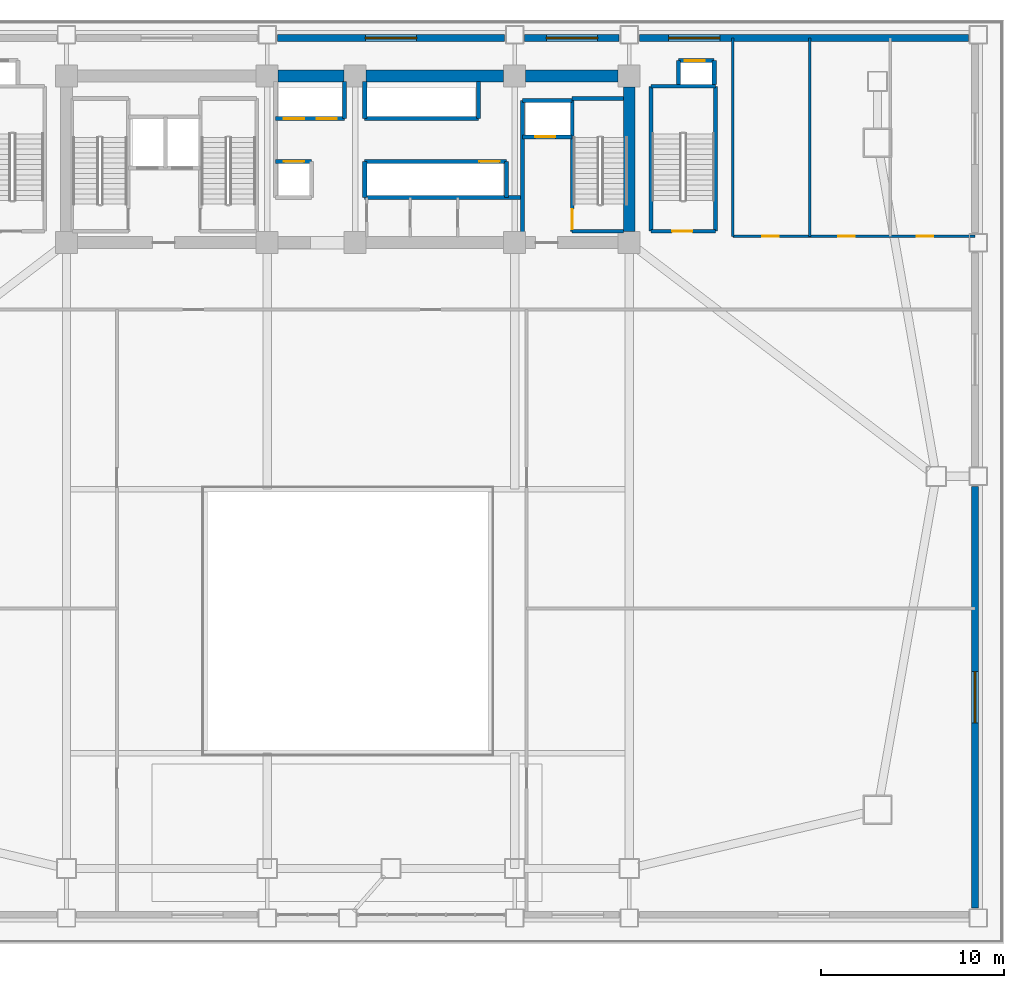
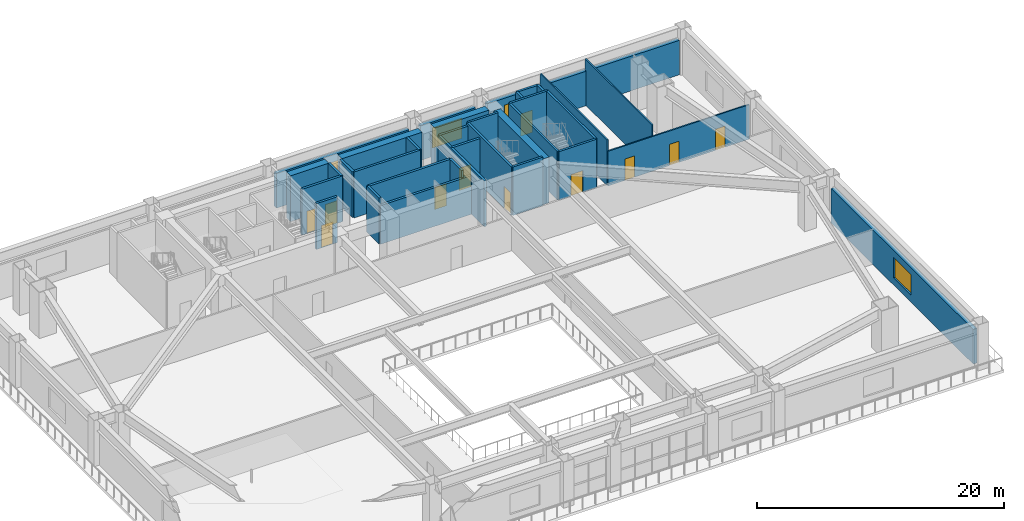
# One storey, part 8 of 14: 34 walls, 11 doors, 4 windows, 15 openings.
"""IFC4 building model written with IfcOpenShell, lengths in metres."""

from ifc_helpers import new_model, si_unit, direction, frame, frame_2d, origin, place, context, subcontext, project, spatial, rectangle, extrude, source, transform, mapped, material, layer, layer_set, type_object, element, fill, save


model = new_model("IFC4")

# Units and contexts
model_context = context("Model", 3, precision=1e-05, world=origin(), true_north=direction((0.0, 1.0)))
body_context = subcontext(model_context, "Body", "Model", "MODEL_VIEW")
ifc_project = project(units=[si_unit("LENGTHUNIT", "METRE"), si_unit("AREAUNIT", "SQUARE_METRE"), si_unit("VOLUMEUNIT", "CUBIC_METRE"), si_unit("PLANEANGLEUNIT", "RADIAN"), si_unit("MASSUNIT", "GRAM", prefix="KILO")], contexts=[model_context])

# Site, building, storey
site_placement = place(None, origin())
site = spatial("IfcSite", under=ifc_project, at=site_placement, CompositionType="ELEMENT")
building_placement = place(site_placement, origin())
building = spatial("IfcBuilding", under=site, at=building_placement, Name="Giltprow Tower", CompositionType="ELEMENT")
storey_placement = place(building_placement, frame((0.0, 0.0, 5.60009765625)))
storey = spatial("IfcBuildingStorey", under=building, at=storey_placement, Name="L02", CompositionType="ELEMENT", Elevation=5.60009765625)

# Wall, opening, window
ifc_material_1 = material(Name="Precast concrete C40", Category="concrete")
ifc_layer_1 = layer(ifc_material_1, 0.360107421875, Name="Precast concrete C40")
ifc_layer_set_1 = layer_set([ifc_layer_1], Name="Precast concrete C40")
wall_type_1 = type_object("IfcWallType", Name="EW-POD-STONE-360", PredefinedType="SOLIDWALL", material=ifc_layer_set_1)
wall_1_placement = place(storey_placement, frame((31.35009765625, 48.6201171875, 0.0), z_axis=(0.0, 0.0, 1.0), x_axis=(1.0, 0.0, 0.0)))
wall_1 = element("IfcWall", 1, at=wall_1_placement, inside=storey, type_object=wall_type_1, Name="L02 North Podium Masonry Wall 3", PredefinedType="SOLIDWALL", context=body_context, shape_type="SweptSolid", body=[
    extrude(rectangle(XDim=12.39990234375, YDim=0.360107421875, at=frame_2d((6.199951171875, 0.0))), origin(), (0.0, 0.0, 1.0), 3.419921875),
])
opening_1_placement = place(wall_1_placement, frame((4.800048828125, 0.0, 0.719970703125)))
opening_1 = element("IfcOpeningElement", 2, at=opening_1_placement, cuts=wall_1, Name="Opening WN31", PredefinedType="OPENING", context=body_context, shape_type="SweptSolid", body=[
    extrude(rectangle(XDim=2.800048828125, YDim=2.0, at=frame_2d((1.39990234375, 1.0))), frame((0.0, 0.18994140625, 0.0), z_axis=(0.0, -1.0, 0.0), x_axis=(1.0, 0.0, 0.0)), (0.0, 0.0, 1.0), 0.380126953125),
])
ifc_material_2 = material(Name="Insulated glass", Category="glass")
window_type = type_object("IfcWindowType", Name="WN-POD-2800x2000", PartitioningType="SINGLE_PANEL", PredefinedType="WINDOW", material=ifc_material_2)
shared_shape_1 = source(origin(), body_context, "Body", "SweptSolid", [
    extrude(rectangle(XDim=2.800048828125, YDim=2.0, at=frame_2d((1.39990234375, 1.0))), frame((0.0, 0.030029296875, 0.0), z_axis=(0.0, -1.0, 0.0), x_axis=(1.0, 0.0, 0.0)), (0.0, 0.0, 1.0), 0.06005859375),
])
window_1_placement = place(opening_1_placement, origin())
window_1 = element("IfcWindow", 3, at=window_1_placement, inside=storey, type_object=window_type, Name="L02 Podium North Window 3", OverallHeight=2.0, OverallWidth=2.800048828125, PartitioningType="SINGLE_PANEL", PredefinedType="WINDOW", context=body_context, shape_type="MappedRepresentation", body=[
    mapped(shared_shape_1, transform((0.0, 0.0, 0.0), x_axis=(1.0, 0.0, 0.0), y_axis=(0.0, 1.0, 0.0), z_axis=(0.0, 0.0, 1.0), scale=1.0)),
])
fill(opening_1, window_1)

wall_2_placement = place(storey_placement, frame((44.85009765625, 48.6201171875, 0.0), z_axis=(0.0, 0.0, 1.0), x_axis=(1.0, 0.0, 0.0)))
wall_2 = element("IfcWall", 4, at=wall_2_placement, inside=storey, type_object=wall_type_1, Name="L02 North Podium Masonry Wall 4", PredefinedType="SOLIDWALL", context=body_context, shape_type="SweptSolid", body=[
    extrude(rectangle(XDim=5.14990234375, YDim=0.360107421875, at=frame_2d((2.574951171875, 0.0))), origin(), (0.0, 0.0, 1.0), 3.419921875),
])
opening_2_placement = place(wall_2_placement, frame((1.175048828125, 0.0, 0.719970703125)))
opening_2 = element("IfcOpeningElement", 5, at=opening_2_placement, cuts=wall_2, Name="Opening WN31", PredefinedType="OPENING", context=body_context, shape_type="SweptSolid", body=[
    extrude(rectangle(XDim=2.800048828125, YDim=2.0, at=frame_2d((1.39990234375, 1.0))), frame((0.0, 0.18994140625, 0.0), z_axis=(0.0, -1.0, 0.0), x_axis=(1.0, 0.0, 0.0)), (0.0, 0.0, 1.0), 0.380126953125),
])
window_2_placement = place(opening_2_placement, origin())
window_2 = element("IfcWindow", 6, at=window_2_placement, inside=storey, type_object=window_type, Name="L02 Podium North Window 4", OverallHeight=2.0, OverallWidth=2.800048828125, PartitioningType="SINGLE_PANEL", PredefinedType="WINDOW", context=body_context, shape_type="MappedRepresentation", body=[
    mapped(shared_shape_1, transform((0.0, 0.0, 0.0), x_axis=(1.0, 0.0, 0.0), y_axis=(0.0, 1.0, 0.0), z_axis=(0.0, 0.0, 1.0), scale=1.0)),
])
fill(opening_2, window_2)

wall_3_placement = place(storey_placement, frame((51.10009765625, 48.6201171875, 0.0), z_axis=(0.0, 0.0, 1.0), x_axis=(1.0, 0.0, 0.0)))
wall_3 = element("IfcWall", 7, at=wall_3_placement, inside=storey, type_object=wall_type_1, Name="L02 North Podium Masonry Wall 5", PredefinedType="SOLIDWALL", context=body_context, shape_type="SweptSolid", body=[
    extrude(rectangle(XDim=17.949951171875, YDim=0.360107421875, at=frame_2d((8.97509765625, 0.0))), origin(), (0.0, 0.0, 1.0), 3.419921875),
])
opening_3_placement = place(wall_3_placement, frame((1.60009765625, 0.0, 0.719970703125)))
opening_3 = element("IfcOpeningElement", 8, at=opening_3_placement, cuts=wall_3, Name="Opening WN31", PredefinedType="OPENING", context=body_context, shape_type="SweptSolid", body=[
    extrude(rectangle(XDim=2.800048828125, YDim=2.0, at=frame_2d((1.39990234375, 1.0))), frame((0.0, 0.18994140625, 0.0), z_axis=(0.0, -1.0, 0.0), x_axis=(1.0, 0.0, 0.0)), (0.0, 0.0, 1.0), 0.380126953125),
])
window_3_placement = place(opening_3_placement, origin())
window_3 = element("IfcWindow", 9, at=window_3_placement, inside=storey, type_object=window_type, Name="L02 Podium North Window 5", OverallHeight=2.0, OverallWidth=2.800048828125, PartitioningType="SINGLE_PANEL", PredefinedType="WINDOW", context=body_context, shape_type="MappedRepresentation", body=[
    mapped(shared_shape_1, transform((0.0, 0.0, 0.0), x_axis=(1.0, 0.0, 0.0), y_axis=(0.0, 1.0, 0.0), z_axis=(0.0, 0.0, 1.0), scale=1.0)),
])
fill(opening_3, window_3)

wall_4_placement = place(storey_placement, frame((69.419921875, 1.14990234375, 0.0), z_axis=(0.0, 0.0, 1.0), x_axis=(0.0, 1.0, 0.0)))
wall_4 = element("IfcWall", 10, at=wall_4_placement, inside=storey, type_object=wall_type_1, Name="L02 E Podium Masonry Wall 1", PredefinedType="SOLIDWALL", context=body_context, shape_type="SweptSolid", body=[
    extrude(rectangle(XDim=23.0, YDim=0.360107421875, at=frame_2d((11.5, 0.0))), origin(), (0.0, 0.0, 1.0), 3.419921875),
])
opening_4_placement = place(wall_4_placement, frame((10.10009765625, 0.0, 0.719970703125)))
opening_4 = element("IfcOpeningElement", 11, at=opening_4_placement, cuts=wall_4, Name="Opening WN31", PredefinedType="OPENING", context=body_context, shape_type="SweptSolid", body=[
    extrude(rectangle(XDim=2.800048828125, YDim=2.0, at=frame_2d((1.39990234375, 1.0))), frame((0.0, 0.18994140625, 0.0), z_axis=(0.0, -1.0, 0.0), x_axis=(1.0, 0.0, 0.0)), (0.0, 0.0, 1.0), 0.380126953125),
])
window_4_placement = place(opening_4_placement, origin())
window_4 = element("IfcWindow", 12, at=window_4_placement, inside=storey, type_object=window_type, Name="L02 Podium E Window 1", OverallHeight=2.0, OverallWidth=2.800048828125, PartitioningType="SINGLE_PANEL", PredefinedType="WINDOW", context=body_context, shape_type="MappedRepresentation", body=[
    mapped(shared_shape_1, transform((0.0, 0.0, 0.0), x_axis=(1.0, 0.0, 0.0), y_axis=(0.0, 1.0, 0.0), z_axis=(0.0, 0.0, 1.0), scale=1.0)),
])
fill(opening_4, window_4)

# Wall, opening, door
ifc_material_3 = material(Name="Concrete C40", Category="concrete")
ifc_layer_2 = layer(ifc_material_3, 0.219970703125, Name="Concrete C40")
ifc_layer_set_2 = layer_set([ifc_layer_2], Name="Concrete C40")
wall_type_2 = type_object("IfcWallType", Name="IW-SHAFT-220", PredefinedType="SOLIDWALL", material=ifc_layer_set_2)
wall_5_placement = place(storey_placement, frame((44.719970703125, 43.219970703125, 0.0), z_axis=(0.0, 0.0, 1.0), x_axis=(1.0, 0.0, 0.0)))
wall_5 = element("IfcWall", 13, at=wall_5_placement, inside=storey, type_object=wall_type_2, Name="L02 FFL2 Front Shaft Wall", PredefinedType="SOLIDWALL", context=body_context, shape_type="SweptSolid", body=[
    extrude(rectangle(XDim=2.719970703125, YDim=0.219970703125, at=frame_2d((1.35986328125, 0.0))), origin(), (0.0, 0.0, 1.0), 4.539794921875),
])
opening_5_placement = place(wall_5_placement, frame((0.699951171875, 0.0, 0.0)))
opening_5 = element("IfcOpeningElement", 14, at=opening_5_placement, cuts=wall_5, Name="Opening LD-11", PredefinedType="OPENING", context=body_context, shape_type="SweptSolid", body=[
    extrude(rectangle(XDim=1.10009765625, YDim=2.199951171875, at=frame_2d((0.550048828125, 1.10009765625))), frame((0.0, 0.119873046875, 0.0), z_axis=(0.0, -1.0, 0.0), x_axis=(1.0, 0.0, 0.0)), (0.0, 0.0, 1.0), 0.239990234375),
])
ifc_material_4 = material(Name="Stainless steel", Category="steel")
door_type_1 = type_object("IfcDoorType", Name="DR-LIFT-LD1100", OperationType="SLIDING_TO_LEFT", PredefinedType="DOOR", material=ifc_material_4)
shared_shape_2 = source(origin(), body_context, "Body", "SweptSolid", [
    extrude(rectangle(XDim=1.10009765625, YDim=2.199951171875, at=frame_2d((0.550048828125, 1.10009765625))), frame((0.0, 0.02490234375, 0.0), z_axis=(0.0, -1.0, 0.0), x_axis=(1.0, 0.0, 0.0)), (0.0, 0.0, 1.0), 0.050048828125),
])
door_1_placement = place(opening_5_placement, origin())
door_1 = element("IfcDoor", 15, at=door_1_placement, inside=storey, type_object=door_type_1, Name="L02 FFL2 Landing Door", OperationType="SLIDING_TO_LEFT", OverallHeight=2.199951171875, OverallWidth=1.10009765625, PredefinedType="DOOR", context=body_context, shape_type="MappedRepresentation", body=[
    mapped(shared_shape_2, transform((0.0, 0.0, 0.0), x_axis=(1.0, 0.0, 0.0), y_axis=(0.0, 1.0, 0.0), z_axis=(0.0, 0.0, 1.0), scale=1.0)),
])
fill(opening_5, door_1)

# Walls
wall_6_placement = place(storey_placement, frame((44.719970703125, 45.219970703125, 0.0), z_axis=(0.0, 0.0, 1.0), x_axis=(1.0, 0.0, 0.0)))
element("IfcWall", 16, at=wall_6_placement, inside=storey, type_object=wall_type_2, Name="L02 FFL2 Back Shaft Wall", PredefinedType="SOLIDWALL", context=body_context, shape_type="SweptSolid", body=[
    extrude(rectangle(XDim=2.719970703125, YDim=0.219970703125, at=frame_2d((1.35986328125, 0.0))), origin(), (0.0, 0.0, 1.0), 4.539794921875),
])
wall_7_placement = place(storey_placement, frame((44.719970703125, 37.7548828125, 0.0), z_axis=(0.0, 0.0, 1.0), x_axis=(0.0, 1.0, 0.0)))
element("IfcWall", 17, at=wall_7_placement, inside=storey, type_object=wall_type_2, Name="L02 East Firefighting Lobby West Wall", PredefinedType="SOLIDWALL", context=body_context, shape_type="SweptSolid", body=[
    extrude(rectangle(XDim=7.465087890625, YDim=0.219970703125, at=frame_2d((3.732421875, 0.0))), origin(), (0.0, 0.0, 1.0), 4.539794921875),
])

# Wall, opening, door
wall_8_placement = place(storey_placement, frame((53.22998046875, 47.3798828125, 0.0), z_axis=(0.0, 0.0, 1.0), x_axis=(1.0, 0.0, 0.0)))
wall_8 = element("IfcWall", 18, at=wall_8_placement, inside=storey, type_object=wall_type_2, Name="L02 PL-P2 Front Wall", PredefinedType="SOLIDWALL", context=body_context, shape_type="SweptSolid", body=[
    extrude(rectangle(XDim=1.9599609375, YDim=0.219970703125, at=frame_2d((0.97998046875, 0.0))), origin(), (0.0, 0.0, 1.0), 4.539794921875),
])
opening_6_placement = place(wall_8_placement, frame((0.35009765625, 0.0, 0.0)))
opening_6 = element("IfcOpeningElement", 19, at=opening_6_placement, cuts=wall_8, Name="Opening LD-11", PredefinedType="OPENING", context=body_context, shape_type="SweptSolid", body=[
    extrude(rectangle(XDim=1.10009765625, YDim=2.199951171875, at=frame_2d((0.550048828125, 1.10009765625))), frame((0.0, 0.119873046875, 0.0), z_axis=(0.0, -1.0, 0.0), x_axis=(1.0, 0.0, 0.0)), (0.0, 0.0, 1.0), 0.239990234375),
])
door_2_placement = place(opening_6_placement, origin())
door_2 = element("IfcDoor", 20, at=door_2_placement, inside=storey, type_object=door_type_1, Name="L02 PL-P2 Landing Door", OperationType="SLIDING_TO_LEFT", OverallHeight=2.199951171875, OverallWidth=1.10009765625, PredefinedType="DOOR", context=body_context, shape_type="MappedRepresentation", body=[
    mapped(shared_shape_2, transform((0.0, 0.0, 0.0), x_axis=(1.0, 0.0, 0.0), y_axis=(0.0, 1.0, 0.0), z_axis=(0.0, 0.0, 1.0), scale=1.0)),
])
fill(opening_6, door_2)

# Walls
for number, where, z_axis, x_axis, name in (
    (21, (53.22998046875, 46.090087890625, 0.0), (0.0, 0.0, 1.0), (0.0, 1.0, 0.0), "L02 PL-P2 West Shaft Wall"),
    (22, (55.18994140625, 46.090087890625, 0.0), (0.0, 0.0, 1.0), (0.0, 1.0, 0.0), "L02 PL-P2 East Shaft Wall"),
):
    element("IfcWall", number, at=place(storey_placement, frame(where, z_axis=z_axis, x_axis=x_axis)), inside=storey, type_object=wall_type_2, Name=name, PredefinedType="SOLIDWALL", context=body_context, shape_type="SweptSolid", body=[
        extrude(rectangle(XDim=1.289794921875, YDim=0.219970703125, at=frame_2d((0.64501953125, 0.0))), origin(), (0.0, 0.0, 1.0), 4.539794921875),
    ])

# Wall, openings, doors
wall_9_placement = place(storey_placement, frame((31.25, 44.219970703125, 0.0), z_axis=(0.0, 0.0, 1.0), x_axis=(1.0, 0.0, 0.0)))
wall_9 = element("IfcWall", 23, at=wall_9_placement, inside=storey, type_object=wall_type_2, Name="L02 North West Lift Shaft Front Wall", PredefinedType="SOLIDWALL", context=body_context, shape_type="SweptSolid", body=[
    extrude(rectangle(XDim=3.77001953125, YDim=0.219970703125, at=frame_2d((1.885009765625, 0.0))), origin(), (0.0, 0.0, 1.0), 4.539794921875),
])
opening_7_placement = place(wall_9_placement, frame((0.4599609375, 0.0, 0.0)))
opening_7 = element("IfcOpeningElement", 24, at=opening_7_placement, cuts=wall_9, Name="Opening LD-11", PredefinedType="OPENING", context=body_context, shape_type="SweptSolid", body=[
    extrude(rectangle(XDim=1.10009765625, YDim=2.199951171875, at=frame_2d((0.550048828125, 1.10009765625))), frame((0.0, 0.119873046875, 0.0), z_axis=(0.0, -1.0, 0.0), x_axis=(1.0, 0.0, 0.0)), (0.0, 0.0, 1.0), 0.239990234375),
])
opening_8_placement = place(wall_9_placement, frame((2.239990234375, 0.0, 0.0)))
opening_8 = element("IfcOpeningElement", 25, at=opening_8_placement, cuts=wall_9, Name="Opening LD-11", PredefinedType="OPENING", context=body_context, shape_type="SweptSolid", body=[
    extrude(rectangle(XDim=1.10009765625, YDim=2.199951171875, at=frame_2d((0.550048828125, 1.10009765625))), frame((0.0, 0.119873046875, 0.0), z_axis=(0.0, -1.0, 0.0), x_axis=(1.0, 0.0, 0.0)), (0.0, 0.0, 1.0), 0.239990234375),
])
door_3_placement = place(opening_7_placement, origin())
door_3 = element("IfcDoor", 26, at=door_3_placement, inside=storey, type_object=door_type_1, Name="L02 PL-L1 Landing Door", OperationType="SLIDING_TO_LEFT", OverallHeight=2.199951171875, OverallWidth=1.10009765625, PredefinedType="DOOR", context=body_context, shape_type="MappedRepresentation", body=[
    mapped(shared_shape_2, transform((0.0, 0.0, 0.0), x_axis=(1.0, 0.0, 0.0), y_axis=(0.0, 1.0, 0.0), z_axis=(0.0, 0.0, 1.0), scale=1.0)),
])
fill(opening_7, door_3)
door_4_placement = place(opening_8_placement, origin())
door_4 = element("IfcDoor", 27, at=door_4_placement, inside=storey, type_object=door_type_1, Name="L02 PL-L2 Landing Door", OperationType="SLIDING_TO_LEFT", OverallHeight=2.199951171875, OverallWidth=1.10009765625, PredefinedType="DOOR", context=body_context, shape_type="MappedRepresentation", body=[
    mapped(shared_shape_2, transform((0.0, 0.0, 0.0), x_axis=(1.0, 0.0, 0.0), y_axis=(0.0, 1.0, 0.0), z_axis=(0.0, 0.0, 1.0), scale=1.0)),
])
fill(opening_8, door_4)

# Walls
wall_10_placement = place(storey_placement, frame((36.1201171875, 44.219970703125, 0.0), z_axis=(0.0, 0.0, 1.0), x_axis=(1.0, 0.0, 0.0)))
element("IfcWall", 28, at=wall_10_placement, inside=storey, type_object=wall_type_2, Name="L02 North East Lift Shaft Front Wall", PredefinedType="SOLIDWALL", context=body_context, shape_type="SweptSolid", body=[
    extrude(rectangle(XDim=6.199951171875, YDim=0.219970703125, at=frame_2d((3.10009765625, 0.0))), origin(), (0.0, 0.0, 1.0), 4.539794921875),
])
for number, where, z_axis, x_axis, name in (
    (29, (35.02001953125, 44.219970703125, 0.0), (0.0, 0.0, 1.0), (0.0, 1.0, 0.0), "L02 North West Lift Shaft East Closure"),
    (30, (36.1201171875, 44.219970703125, 0.0), (0.0, 0.0, 1.0), (0.0, 1.0, 0.0), "L02 North East Lift Shaft West Closure"),
    (31, (42.320068359375, 44.219970703125, 0.0), (0.0, 0.0, 1.0), (0.0, 1.0, 0.0), "L02 North East Lift Shaft East Closure"),
):
    element("IfcWall", number, at=place(storey_placement, frame(where, z_axis=z_axis, x_axis=x_axis)), inside=storey, type_object=wall_type_2, Name=name, PredefinedType="SOLIDWALL", context=body_context, shape_type="SweptSolid", body=[
        extrude(rectangle(XDim=2.025146484375, YDim=0.219970703125, at=frame_2d((1.0126953125, 0.0))), origin(), (0.0, 0.0, 1.0), 4.539794921875),
    ])

# Wall, opening, door
wall_11_placement = place(storey_placement, frame((31.25, 41.8798828125, 0.0), z_axis=(0.0, 0.0, 1.0), x_axis=(1.0, 0.0, 0.0)))
wall_11 = element("IfcWall", 32, at=wall_11_placement, inside=storey, type_object=wall_type_2, Name="L02 South West Lift Shaft Front Wall", PredefinedType="SOLIDWALL", context=body_context, shape_type="SweptSolid", body=[
    extrude(rectangle(XDim=1.969970703125, YDim=0.219970703125, at=frame_2d((0.98486328125, 0.0))), origin(), (0.0, 0.0, 1.0), 4.539794921875),
])
opening_9_placement = place(wall_11_placement, frame((0.4599609375, 0.0, 0.0)))
opening_9 = element("IfcOpeningElement", 33, at=opening_9_placement, cuts=wall_11, Name="Opening LD-11", PredefinedType="OPENING", context=body_context, shape_type="SweptSolid", body=[
    extrude(rectangle(XDim=1.10009765625, YDim=2.199951171875, at=frame_2d((0.550048828125, 1.10009765625))), frame((0.0, 0.119873046875, 0.0), z_axis=(0.0, -1.0, 0.0), x_axis=(1.0, 0.0, 0.0)), (0.0, 0.0, 1.0), 0.239990234375),
])
door_5_placement = place(opening_9_placement, origin())
door_5 = element("IfcDoor", 34, at=door_5_placement, inside=storey, type_object=door_type_1, Name="L02 PL-L3 Landing Door", OperationType="SLIDING_TO_LEFT", OverallHeight=2.199951171875, OverallWidth=1.10009765625, PredefinedType="DOOR", context=body_context, shape_type="MappedRepresentation", body=[
    mapped(shared_shape_2, transform((0.0, 0.0, 0.0), x_axis=(1.0, 0.0, 0.0), y_axis=(0.0, 1.0, 0.0), z_axis=(0.0, 0.0, 1.0), scale=1.0)),
])
fill(opening_9, door_5)

wall_12_placement = place(storey_placement, frame((36.1201171875, 41.8798828125, 0.0), z_axis=(0.0, 0.0, 1.0), x_axis=(1.0, 0.0, 0.0)))
wall_12 = element("IfcWall", 35, at=wall_12_placement, inside=storey, type_object=wall_type_2, Name="L02 South East Lift Shaft Front Wall", PredefinedType="SOLIDWALL", context=body_context, shape_type="SweptSolid", body=[
    extrude(rectangle(XDim=7.72998046875, YDim=0.219970703125, at=frame_2d((3.864990234375, 0.0))), origin(), (0.0, 0.0, 1.0), 4.539794921875),
])
opening_10_placement = place(wall_12_placement, frame((6.260009765625, 0.0, 0.0)))
opening_10 = element("IfcOpeningElement", 36, at=opening_10_placement, cuts=wall_12, Name="Opening LD-11", PredefinedType="OPENING", context=body_context, shape_type="SweptSolid", body=[
    extrude(rectangle(XDim=1.10009765625, YDim=2.199951171875, at=frame_2d((0.550048828125, 1.10009765625))), frame((0.0, 0.119873046875, 0.0), z_axis=(0.0, -1.0, 0.0), x_axis=(1.0, 0.0, 0.0)), (0.0, 0.0, 1.0), 0.239990234375),
])
door_6_placement = place(opening_10_placement, origin())
door_6 = element("IfcDoor", 37, at=door_6_placement, inside=storey, type_object=door_type_1, Name="L02 PL-L4 Landing Door", OperationType="SLIDING_TO_LEFT", OverallHeight=2.199951171875, OverallWidth=1.10009765625, PredefinedType="DOOR", context=body_context, shape_type="MappedRepresentation", body=[
    mapped(shared_shape_2, transform((0.0, 0.0, 0.0), x_axis=(1.0, 0.0, 0.0), y_axis=(0.0, 1.0, 0.0), z_axis=(0.0, 0.0, 1.0), scale=1.0)),
])
fill(opening_10, door_6)

# Walls
wall_13_placement = place(storey_placement, frame((36.1201171875, 39.919921875, 0.0), z_axis=(0.0, 0.0, 1.0), x_axis=(1.0, 0.0, 0.0)))
element("IfcWall", 38, at=wall_13_placement, inside=storey, type_object=wall_type_2, Name="L02 Express South Shaft Back Wall", PredefinedType="SOLIDWALL", context=body_context, shape_type="SweptSolid", body=[
    extrude(rectangle(XDim=8.599853515625, YDim=0.219970703125, at=frame_2d((4.2998046875, 0.0))), origin(), (0.0, 0.0, 1.0), 3.824951171875),
])
for number, where, z_axis, x_axis, name in (
    (39, (36.1201171875, 39.919921875, 0.0), (0.0, 0.0, 1.0), (0.0, 1.0, 0.0), "L02 Express South Shaft West Closure"),
    (40, (43.85009765625, 39.919921875, 0.0), (0.0, 0.0, 1.0), (0.0, 1.0, 0.0), "L02 Lift Bank South-East Closure"),
):
    element("IfcWall", number, at=place(storey_placement, frame(where, z_axis=z_axis, x_axis=x_axis)), inside=storey, type_object=wall_type_2, Name=name, PredefinedType="SOLIDWALL", context=body_context, shape_type="SweptSolid", body=[
        extrude(rectangle(XDim=1.9599609375, YDim=0.219970703125, at=frame_2d((0.97998046875, 0.0))), origin(), (0.0, 0.0, 1.0), 4.539794921875),
    ])

# Wall, opening, door
ifc_layer_3 = layer(ifc_material_3, 0.199951171875, Name="Concrete C40")
ifc_layer_set_3 = layer_set([ifc_layer_3], Name="Concrete C40")
wall_type_3 = type_object("IfcWallType", Name="IW-STAIR-200", PredefinedType="SOLIDWALL", material=ifc_layer_set_3)
wall_14_placement = place(storey_placement, frame((47.43994140625, 38.070068359375, 0.0), z_axis=(0.0, 0.0, 1.0), x_axis=(0.0, 1.0, 0.0)))
wall_14 = element("IfcWall", 41, at=wall_14_placement, inside=storey, type_object=wall_type_3, Name="L02 Stair ST-3 West Bearing Wall", PredefinedType="SOLIDWALL", context=body_context, shape_type="SweptSolid", body=[
    extrude(rectangle(XDim=7.25, YDim=0.199951171875, at=frame_2d((3.625, 0.0))), origin(), (0.0, 0.0, 1.0), 4.7998046875),
])
opening_11_placement = place(wall_14_placement, frame((0.110107421875, 0.0, 0.0)))
opening_11 = element("IfcOpeningElement", 42, at=opening_11_placement, cuts=wall_14, Name="Opening ID33", PredefinedType="OPENING", context=body_context, shape_type="SweptSolid", body=[
    extrude(rectangle(XDim=1.10009765625, YDim=2.14990234375, at=frame_2d((0.550048828125, 1.074951171875))), frame((0.0, 0.10986328125, 0.0), z_axis=(0.0, -1.0, 0.0), x_axis=(1.0, 0.0, 0.0)), (0.0, 0.0, 1.0), 0.219970703125),
])
ifc_material_5 = material(Name="Steel fire leaf", Category="steel")
door_type_2 = type_object("IfcDoorType", Name="DR-STAIR-1100", OperationType="SINGLE_SWING_LEFT", PredefinedType="DOOR", material=ifc_material_5)
shared_shape_3 = source(origin(), body_context, "Body", "SweptSolid", [
    extrude(rectangle(XDim=1.10009765625, YDim=2.14990234375, at=frame_2d((0.550048828125, 1.074951171875))), frame((0.0, 0.02490234375, 0.0), z_axis=(0.0, -1.0, 0.0), x_axis=(1.0, 0.0, 0.0)), (0.0, 0.0, 1.0), 0.050048828125),
])
door_7_placement = place(opening_11_placement, origin())
door_7 = element("IfcDoor", 43, at=door_7_placement, inside=storey, type_object=door_type_2, Name="L02 Stair ST-3 Fire Door", OperationType="SINGLE_SWING_LEFT", OverallHeight=2.14990234375, OverallWidth=1.10009765625, PredefinedType="DOOR", context=body_context, shape_type="MappedRepresentation", body=[
    mapped(shared_shape_3, transform((0.0, 0.0, 0.0), x_axis=(1.0, 0.0, 0.0), y_axis=(0.0, 1.0, 0.0), z_axis=(0.0, 0.0, 1.0), scale=1.0)),
])
fill(opening_11, door_7)

# Walls
for number, where, z_axis, x_axis, name in (
    (44, (47.43994140625, 45.320068359375, 0.0), (0.0, 0.0, 1.0), (1.0, 0.0, 0.0), "L02 Stair ST-3 North Bearing Wall"),
    (45, (47.43994140625, 38.070068359375, 0.0), (0.0, 0.0, 1.0), (1.0, 0.0, 0.0), "L02 Stair ST-3 South Bearing Wall"),
):
    element("IfcWall", number, at=place(storey_placement, frame(where, z_axis=z_axis, x_axis=x_axis)), inside=storey, type_object=wall_type_3, Name=name, PredefinedType="SOLIDWALL", context=body_context, shape_type="SweptSolid", body=[
        extrude(rectangle(XDim=2.80517578125, YDim=0.199951171875, at=frame_2d((1.402587890625, 0.0))), origin(), (0.0, 0.0, 1.0), 4.7998046875),
    ])
for number, where, z_axis, x_axis, name in (
    (46, (51.739990234375, 38.080078125, 0.0), (0.0, 0.0, 1.0), (0.0, 1.0, 0.0), "L02 Podium Stair ST-P2 West Bearing Wall"),
    (47, (55.260009765625, 38.080078125, 0.0), (0.0, 0.0, 1.0), (0.0, 1.0, 0.0), "L02 Podium Stair ST-P2 East Bearing Wall"),
):
    element("IfcWall", number, at=place(storey_placement, frame(where, z_axis=z_axis, x_axis=x_axis)), inside=storey, type_object=wall_type_3, Name=name, PredefinedType="SOLIDWALL", context=body_context, shape_type="SweptSolid", body=[
        extrude(rectangle(XDim=7.89990234375, YDim=0.199951171875, at=frame_2d((3.949951171875, 0.0))), origin(), (0.0, 0.0, 1.0), 4.7998046875),
    ])
wall_15_placement = place(storey_placement, frame((51.739990234375, 45.97998046875, 0.0), z_axis=(0.0, 0.0, 1.0), x_axis=(1.0, 0.0, 0.0)))
element("IfcWall", 48, at=wall_15_placement, inside=storey, type_object=wall_type_3, Name="L02 Podium Stair ST-P2 North Bearing Wall", PredefinedType="SOLIDWALL", context=body_context, shape_type="SweptSolid", body=[
    extrude(rectangle(XDim=3.52001953125, YDim=0.199951171875, at=frame_2d((1.760009765625, 0.0))), origin(), (0.0, 0.0, 1.0), 4.7998046875),
])

# Wall, opening, door
wall_16_placement = place(storey_placement, frame((51.739990234375, 38.080078125, 0.0), z_axis=(0.0, 0.0, 1.0), x_axis=(1.0, 0.0, 0.0)))
wall_16 = element("IfcWall", 49, at=wall_16_placement, inside=storey, type_object=wall_type_3, Name="L02 Podium Stair ST-P2 South Bearing Wall", PredefinedType="SOLIDWALL", context=body_context, shape_type="SweptSolid", body=[
    extrude(rectangle(XDim=3.52001953125, YDim=0.199951171875, at=frame_2d((1.760009765625, 0.0))), origin(), (0.0, 0.0, 1.0), 4.7998046875),
])
opening_12_placement = place(wall_16_placement, frame((1.14990234375, 0.0, 0.0)))
opening_12 = element("IfcOpeningElement", 50, at=opening_12_placement, cuts=wall_16, Name="Opening ID33", PredefinedType="OPENING", context=body_context, shape_type="SweptSolid", body=[
    extrude(rectangle(XDim=1.10009765625, YDim=2.14990234375, at=frame_2d((0.550048828125, 1.074951171875))), frame((0.0, 0.10986328125, 0.0), z_axis=(0.0, -1.0, 0.0), x_axis=(1.0, 0.0, 0.0)), (0.0, 0.0, 1.0), 0.219970703125),
])
door_8_placement = place(opening_12_placement, origin())
door_8 = element("IfcDoor", 51, at=door_8_placement, inside=storey, type_object=door_type_2, Name="L02 Podium Stair ST-P2 Door", OperationType="SINGLE_SWING_LEFT", OverallHeight=2.14990234375, OverallWidth=1.10009765625, PredefinedType="DOOR", context=body_context, shape_type="MappedRepresentation", body=[
    mapped(shared_shape_3, transform((0.0, 0.0, 0.0), x_axis=(1.0, 0.0, 0.0), y_axis=(0.0, 1.0, 0.0), z_axis=(0.0, 0.0, 1.0), scale=1.0)),
])
fill(opening_12, door_8)

# Wall
ifc_material_6 = material(Name="Concrete C30", Category="concrete")
ifc_layer_4 = layer(ifc_material_6, 0.1298828125, Name="Concrete C30")
ifc_layer_set_4 = layer_set([ifc_layer_4], Name="Concrete C30")
wall_type_4 = type_object("IfcWallType", Name="IW-WET-130", PredefinedType="PARTITIONING", material=ifc_layer_set_4)
wall_17_placement = place(storey_placement, frame((56.199951171875, 37.800048828125, 0.0), z_axis=(0.0, 0.0, 1.0), x_axis=(0.0, 1.0, 0.0)))
element("IfcWall", 52, at=wall_17_placement, inside=storey, type_object=wall_type_4, Name="L02 Public Washrooms West Wall", PredefinedType="PARTITIONING", context=body_context, shape_type="SweptSolid", body=[
    extrude(rectangle(XDim=10.820068359375, YDim=0.1298828125, at=frame_2d((5.41015625, 0.0))), origin(), (0.0, 0.0, 1.0), 4.539794921875),
])

# Wall, openings, doors
wall_18_placement = place(storey_placement, frame((56.199951171875, 37.800048828125, 0.0), z_axis=(0.0, 0.0, 1.0), x_axis=(1.0, 0.0, 0.0)))
wall_18 = element("IfcWall", 53, at=wall_18_placement, inside=storey, type_object=wall_type_4, Name="L02 Public Washrooms South Wall", PredefinedType="PARTITIONING", context=body_context, shape_type="SweptSolid", body=[
    extrude(rectangle(XDim=13.219970703125, YDim=0.1298828125, at=frame_2d((6.60986328125, 0.0))), origin(), (0.0, 0.0, 1.0), 3.4248046875),
])
opening_13_placement = place(wall_18_placement, frame((1.60009765625, 0.0, 0.0)))
opening_13 = element("IfcOpeningElement", 54, at=opening_13_placement, cuts=wall_18, Name="Opening ID15", PredefinedType="OPENING", context=body_context, shape_type="SweptSolid", body=[
    extrude(rectangle(XDim=0.89990234375, YDim=2.10009765625, at=frame_2d((0.449951171875, 1.050048828125))), frame((0.0, 0.074951171875, 0.0), z_axis=(0.0, -1.0, 0.0), x_axis=(1.0, 0.0, 0.0)), (0.0, 0.0, 1.0), 0.14990234375),
])
opening_14_placement = place(wall_18_placement, frame((5.75, 0.0, 0.0)))
opening_14 = element("IfcOpeningElement", 55, at=opening_14_placement, cuts=wall_18, Name="Opening ID15", PredefinedType="OPENING", context=body_context, shape_type="SweptSolid", body=[
    extrude(rectangle(XDim=0.89990234375, YDim=2.10009765625, at=frame_2d((0.449951171875, 1.050048828125))), frame((0.0, 0.074951171875, 0.0), z_axis=(0.0, -1.0, 0.0), x_axis=(1.0, 0.0, 0.0)), (0.0, 0.0, 1.0), 0.14990234375),
])
opening_15_placement = place(wall_18_placement, frame((10.050048828125, 0.0, 0.0)))
opening_15 = element("IfcOpeningElement", 56, at=opening_15_placement, cuts=wall_18, Name="Opening ID15", PredefinedType="OPENING", context=body_context, shape_type="SweptSolid", body=[
    extrude(rectangle(XDim=0.89990234375, YDim=2.10009765625, at=frame_2d((0.449951171875, 1.050048828125))), frame((0.0, 0.074951171875, 0.0), z_axis=(0.0, -1.0, 0.0), x_axis=(1.0, 0.0, 0.0)), (0.0, 0.0, 1.0), 0.14990234375),
])
ifc_material_7 = material(Name="Engineered timber", Category="wood")
door_type_3 = type_object("IfcDoorType", Name="DR-WC-900", OperationType="SINGLE_SWING_LEFT", PredefinedType="DOOR", material=ifc_material_7)
shared_shape_4 = source(origin(), body_context, "Body", "SweptSolid", [
    extrude(rectangle(XDim=0.89990234375, YDim=2.10009765625, at=frame_2d((0.449951171875, 1.050048828125))), frame((0.0, 0.02490234375, 0.0), z_axis=(0.0, -1.0, 0.0), x_axis=(1.0, 0.0, 0.0)), (0.0, 0.0, 1.0), 0.050048828125),
])
door_9_placement = place(opening_13_placement, origin())
door_9 = element("IfcDoor", 57, at=door_9_placement, inside=storey, type_object=door_type_3, Name="L02 Male Public Restroom Door", OperationType="SINGLE_SWING_LEFT", OverallHeight=2.10009765625, OverallWidth=0.89990234375, PredefinedType="DOOR", context=body_context, shape_type="MappedRepresentation", body=[
    mapped(shared_shape_4, transform((0.0, 0.0, 0.0), x_axis=(1.0, 0.0, 0.0), y_axis=(0.0, 1.0, 0.0), z_axis=(0.0, 0.0, 1.0), scale=1.0)),
])
fill(opening_13, door_9)
door_10_placement = place(opening_14_placement, origin())
door_10 = element("IfcDoor", 58, at=door_10_placement, inside=storey, type_object=door_type_3, Name="L02 Female Public Restroom Door", OperationType="SINGLE_SWING_RIGHT", OverallHeight=2.10009765625, OverallWidth=0.89990234375, PredefinedType="DOOR", context=body_context, shape_type="MappedRepresentation", body=[
    mapped(shared_shape_4, transform((0.0, 0.0, 0.0), x_axis=(1.0, 0.0, 0.0), y_axis=(0.0, 1.0, 0.0), z_axis=(0.0, 0.0, 1.0), scale=1.0)),
])
fill(opening_14, door_10)
door_11_placement = place(opening_15_placement, origin())
door_11 = element("IfcDoor", 59, at=door_11_placement, inside=storey, type_object=door_type_3, Name="L02 Accessible Restroom Door", OperationType="SINGLE_SWING_LEFT", OverallHeight=2.10009765625, OverallWidth=0.89990234375, PredefinedType="DOOR", context=body_context, shape_type="MappedRepresentation", body=[
    mapped(shared_shape_4, transform((0.0, 0.0, 0.0), x_axis=(1.0, 0.0, 0.0), y_axis=(0.0, 1.0, 0.0), z_axis=(0.0, 0.0, 1.0), scale=1.0)),
])
fill(opening_15, door_11)

# Walls
wall_19_placement = place(storey_placement, frame((60.39990234375, 37.800048828125, 0.0), z_axis=(0.0, 0.0, 1.0), x_axis=(0.0, 1.0, 0.0)))
element("IfcWall", 60, at=wall_19_placement, inside=storey, type_object=wall_type_4, Name="L02 Washroom Divider 1", PredefinedType="PARTITIONING", context=body_context, shape_type="SweptSolid", body=[
    extrude(rectangle(XDim=10.820068359375, YDim=0.1298828125, at=frame_2d((5.41015625, 0.0))), origin(), (0.0, 0.0, 1.0), 4.539794921875),
])
ifc_material_8 = material(Name="Concrete C60", Category="concrete")
ifc_layer_5 = layer(ifc_material_8, 0.64990234375, Name="Concrete C60")
ifc_layer_set_5 = layer_set([ifc_layer_5], Name="Concrete C60")
wall_type_5 = type_object("IfcWallType", Name="SW-INT-650-C60", PredefinedType="SHEAR", material=ifc_layer_set_5)
wall_20_placement = place(storey_placement, frame((31.39990234375, 46.550048828125, 0.0), z_axis=(0.0, 0.0, 1.0), x_axis=(1.0, 0.0, 0.0)))
element("IfcWall", 61, at=wall_20_placement, inside=storey, type_object=wall_type_5, Name="L02 North Rear Core Shear Wall 2", PredefinedType="SHEAR", context=body_context, shape_type="SweptSolid", body=[
    extrude(rectangle(XDim=3.60009765625, YDim=0.64990234375, at=frame_2d((1.800048828125, 0.0))), origin(), (0.0, 0.0, 1.0), 4.539794921875),
])
wall_21_placement = place(storey_placement, frame((36.199951171875, 46.550048828125, 0.0), z_axis=(0.0, 0.0, 1.0), x_axis=(1.0, 0.0, 0.0)))
element("IfcWall", 62, at=wall_21_placement, inside=storey, type_object=wall_type_5, Name="L02 North Rear Core Shear Wall 3", PredefinedType="SHEAR", context=body_context, shape_type="SweptSolid", body=[
    extrude(rectangle(XDim=7.5, YDim=0.64990234375, at=frame_2d((3.75, 0.0))), origin(), (0.0, 0.0, 1.0), 4.539794921875),
])
wall_22_placement = place(storey_placement, frame((44.89990234375, 46.550048828125, 0.0), z_axis=(0.0, 0.0, 1.0), x_axis=(1.0, 0.0, 0.0)))
element("IfcWall", 63, at=wall_22_placement, inside=storey, type_object=wall_type_5, Name="L02 North Rear Core Shear Wall 4", PredefinedType="SHEAR", context=body_context, shape_type="SweptSolid", body=[
    extrude(rectangle(XDim=5.050048828125, YDim=0.64990234375, at=frame_2d((2.52490234375, 0.0))), origin(), (0.0, 0.0, 1.0), 4.539794921875),
])
wall_23_placement = place(storey_placement, frame((50.550048828125, 38.050048828125, 0.0), z_axis=(0.0, 0.0, 1.0), x_axis=(0.0, 1.0, 0.0)))
element("IfcWall", 64, at=wall_23_placement, inside=storey, type_object=wall_type_5, Name="L02 E Rear Core Shear Wall", PredefinedType="SHEAR", context=body_context, shape_type="SweptSolid", body=[
    extrude(rectangle(XDim=7.89990234375, YDim=0.64990234375, at=frame_2d((3.949951171875, 0.0))), origin(), (0.0, 0.0, 1.0), 4.539794921875),
])

save(model, "model.ifc")
